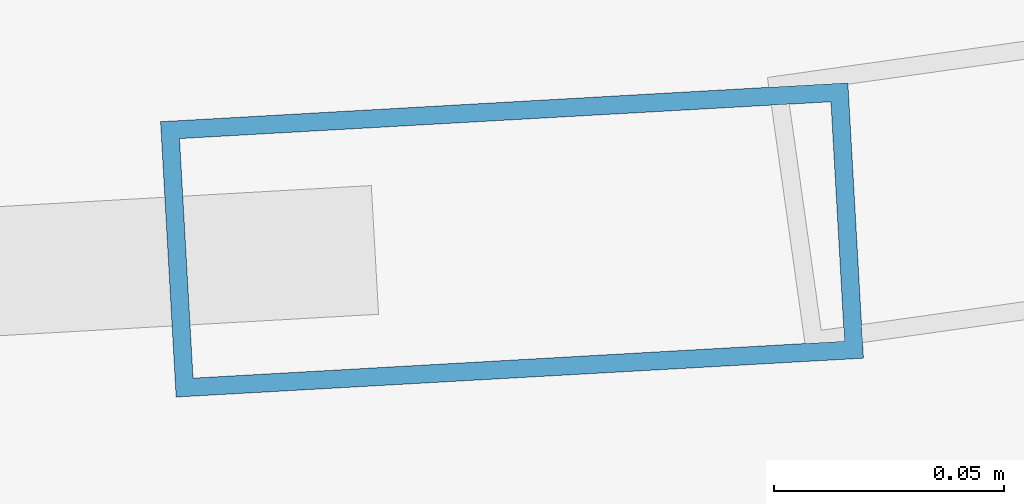
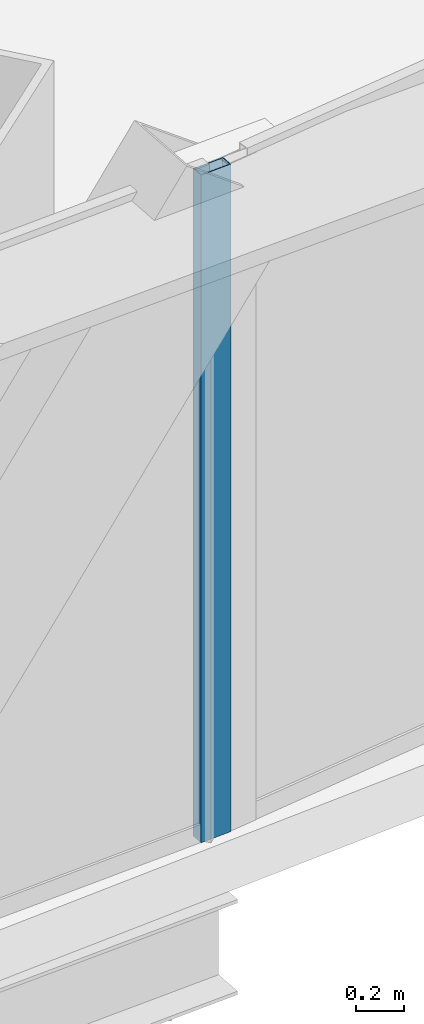
# One storey, part 14 of 41: 1 member, 1 element without a shape of its own.
"""IFC4 building model written with IfcOpenShell, lengths in metres."""

from ifc_helpers import new_model, si_unit, direction, frame, origin, origin_2d, place, context, subcontext, project, spatial, hollow_rectangle, extrude, source, transform, mapped, material, layer, layer_set, material_profile, profile_set, type_object, element, aggregate, save


model = new_model("IFC4")

# Units and contexts
model_context = context("Model", 3, precision=1e-05, world=origin(), true_north=direction((0.0, 1.0)))
body_context = subcontext(model_context, "Body", "Model", "MODEL_VIEW")
ifc_project = project(units=[si_unit("LENGTHUNIT", "METRE"), si_unit("AREAUNIT", "SQUARE_METRE"), si_unit("VOLUMEUNIT", "CUBIC_METRE"), si_unit("PLANEANGLEUNIT", "RADIAN"), si_unit("MASSUNIT", "GRAM", prefix="KILO"), si_unit("THERMODYNAMICTEMPERATUREUNIT", "KELVIN"), si_unit("POWERUNIT", "WATT")], contexts=[model_context])

# Site, building, storey
site_placement = place(None, origin())
site = spatial("IfcSite", under=ifc_project, at=site_placement, CompositionType="ELEMENT")
building_placement = place(site_placement, origin())
building = spatial("IfcBuilding", under=site, at=building_placement, Name="Yunzhuo Pagoda Commons", CompositionType="ELEMENT")
storey_placement = place(building_placement, frame((0.0, 0.0, 155.590087890625)))
storey = spatial("IfcBuildingStorey", under=building, at=storey_placement, Name="L39", CompositionType="ELEMENT", Elevation=155.590087890625)

# Curtain wall, member
ifc_material = material(Name="Anodized aluminium 6063-T6", Category="aluminium")
ifc_layer = layer(ifc_material, 0.14990234375)
ifc_layer_set = layer_set([ifc_layer], Name="Anodized aluminium 6063-T6")
curtain_wall_type = type_object("IfcCurtainWallType", Name="CW-MID Mid-Zone Ribbon Curtain Wall", PredefinedType="NOTDEFINED", material=ifc_layer_set)
curtain_wall_placement = place(storey_placement, origin())
curtain_wall = element("IfcCurtainWall", 1, at=curtain_wall_placement, inside=storey, type_object=curtain_wall_type, Name="L39 curtain wall CW-L39-F1B4", PredefinedType="NOTDEFINED")
ifc_material_profile = material_profile(ifc_material, hollow_rectangle(XDim=0.06005859375, YDim=0.14990234375, WallThickness=0.00390625, at=origin_2d()), Name="Anodized aluminium 6063-T6")
ifc_profile_set = profile_set([ifc_material_profile], Name="Anodized aluminium 6063-T6")
member_type = type_object("IfcMemberType", Name="CW-MID-M Mullion RHS 150x60x4", PredefinedType="MULLION", material=ifc_profile_set)
shared_shape = source(origin(), body_context, "Body", "SweptSolid", [
    extrude(hollow_rectangle(XDim=0.06005859375, YDim=0.14990234375, WallThickness=0.00390625, at=origin_2d()), origin(), (0.0, 0.0, 1.0), 3.419921875),
])
member_placement = place(storey_placement, frame((64.44287109375, 14.067138671875, 0.0), z_axis=(0.0, 0.0, 1.0), x_axis=(-0.056459249567, 0.998404904404, 0.0)))
member = element("IfcMember", 2, at=member_placement, type_object=member_type, Name="CW mullion 2", PredefinedType="MULLION", context=body_context, shape_type="MappedRepresentation", body=[
    mapped(shared_shape, transform((0.0, 0.0, 0.0), scale=1.0)),
])
aggregate(curtain_wall, [member])

save(model, "model.ifc")
